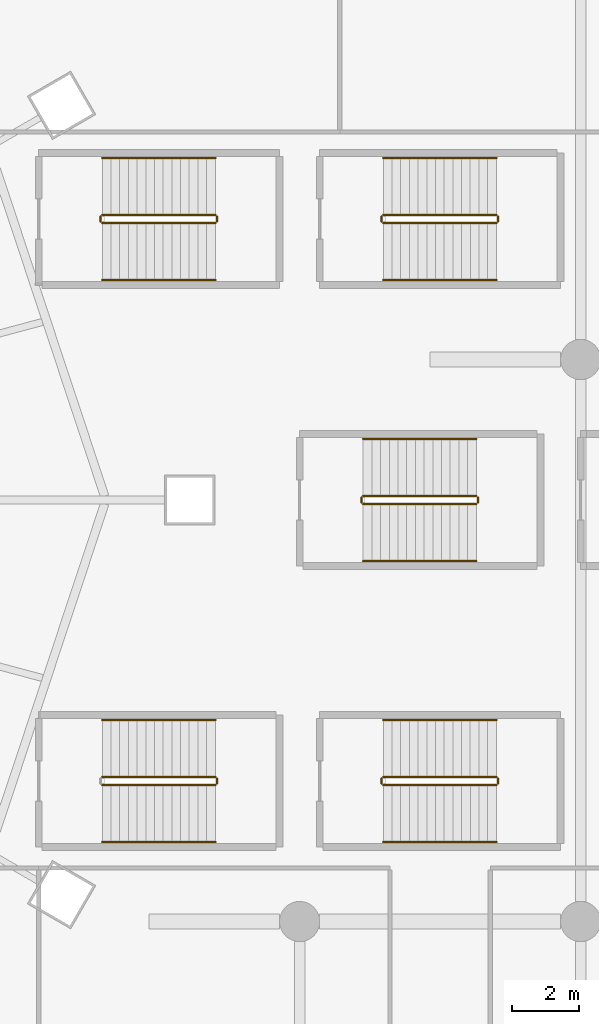
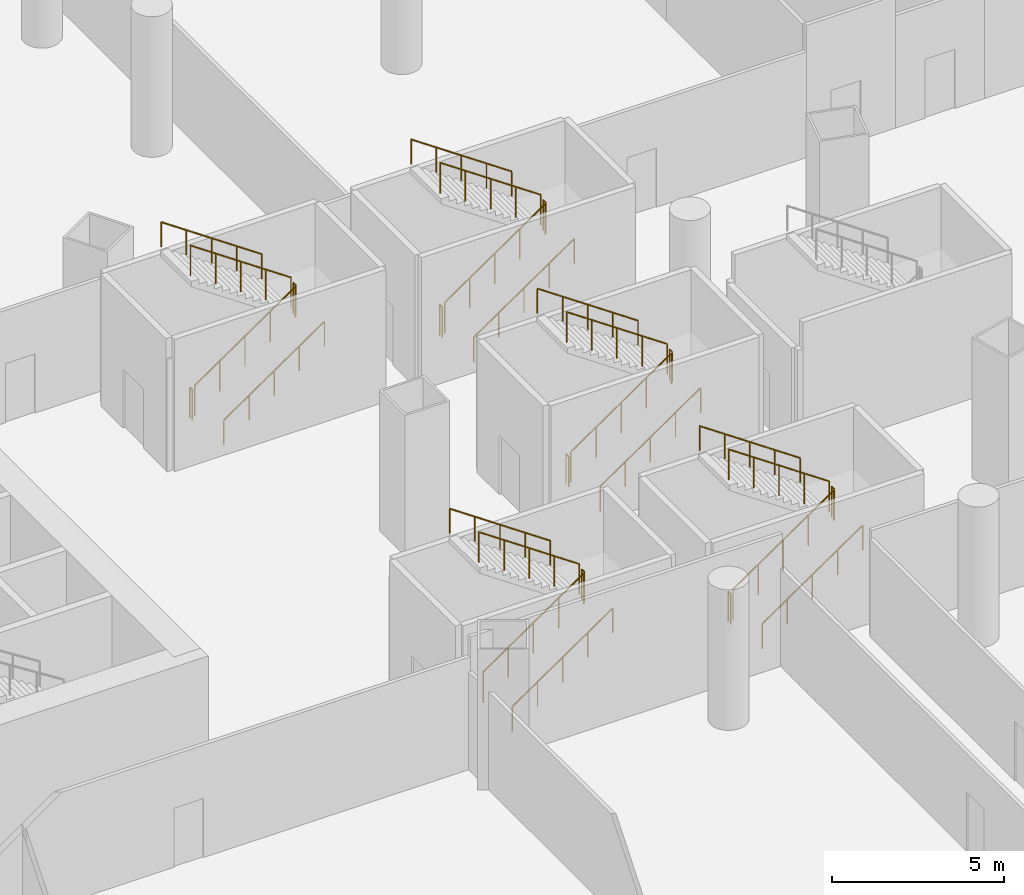
# One storey, part 46 of 51: 29 railings.
"""IFC4 building model written with IfcOpenShell, lengths in metres."""

from ifc_helpers import new_model, si_unit, direction, frame, origin, origin_2d, place, context, subcontext, project, spatial, circle, extrude, material, type_object, element, save


model = new_model("IFC4")

# Units and contexts
model_context = context("Model", 3, precision=1e-05, world=origin(), true_north=direction((0.0, 1.0)))
body_context = subcontext(model_context, "Body", "Model", "MODEL_VIEW")
ifc_project = project(units=[si_unit("LENGTHUNIT", "METRE"), si_unit("AREAUNIT", "SQUARE_METRE"), si_unit("VOLUMEUNIT", "CUBIC_METRE"), si_unit("PLANEANGLEUNIT", "RADIAN"), si_unit("MASSUNIT", "GRAM", prefix="KILO")], contexts=[model_context])

# Site, building, storey
site_placement = place(None, origin())
site = spatial("IfcSite", under=ifc_project, at=site_placement, CompositionType="ELEMENT")
building_placement = place(site_placement, origin())
building = spatial("IfcBuilding", under=site, at=building_placement, Name="Rimbun Link Towers", CompositionType="ELEMENT")
storey_placement = place(building_placement, frame((0.0, 0.0, 7.0)))
storey = spatial("IfcBuildingStorey", under=building, at=storey_placement, Name="L01", CompositionType="ELEMENT", Elevation=7.0)

# Railings
ifc_material_1 = material(Name="Stainless steel grade 316", Category="steel")
railing_type_1 = type_object("IfcRailingType", Name="Stair guard", PredefinedType="GUARDRAIL", material=ifc_material_1)
railing_1_placement = place(storey_placement, frame((-10.10009765625, -8.52490234375, 0.178466796875)))
element("IfcRailing", 1, at=railing_1_placement, inside=storey, type_object=railing_type_1, Name="L01 PS1 stair guard 1", PredefinedType="GUARDRAIL", context=body_context, shape_type="SweptSolid", body=[
    extrude(circle(Radius=0.02392578125, at=origin_2d()), frame((0.0, 0.0, 1.076171875), z_axis=(0.824304150675, 0.0, 0.566147213346), x_axis=(0.0, 1.0, 0.0)), (0.0, 0.0, 1.0), 4.1005859375),
    extrude(circle(Radius=0.02099609375, at=origin_2d()), origin(), (0.0, 0.0, 1.0), 1.052001953125),
    extrude(circle(Radius=0.02099609375, at=origin_2d()), frame((0.844970703125, 0.0, 0.580322265625)), (0.0, 0.0, 1.0), 1.052001953125),
    extrude(circle(Radius=0.02099609375, at=origin_2d()), frame((1.68994140625, 0.0, 1.16064453125)), (0.0, 0.0, 1.0), 1.052001953125),
    extrude(circle(Radius=0.02099609375, at=origin_2d()), frame((2.53515625, 0.0, 1.7412109375)), (0.0, 0.0, 1.0), 1.052001953125),
    extrude(circle(Radius=0.02099609375, at=origin_2d()), frame((3.380126953125, 0.0, 2.321533203125)), (0.0, 0.0, 1.0), 1.052001953125),
])
railing_2_placement = place(storey_placement, frame((-6.669921875, -8.47509765625, 2.5)))
element("IfcRailing", 2, at=railing_2_placement, inside=storey, type_object=railing_type_1, Name="L01 PS1 stair guard 2", PredefinedType="GUARDRAIL", context=body_context, shape_type="SweptSolid", body=[
    extrude(circle(Radius=0.02392578125, at=origin_2d()), frame((0.0, 0.0, 1.076171875), z_axis=(0.0, 1.0, 0.0), x_axis=(-1.0, 0.0, 0.0)), (0.0, 0.0, 1.0), 0.150146484375),
    extrude(circle(Radius=0.02099609375, at=origin_2d()), origin(), (0.0, 0.0, 1.0), 1.052001953125),
    extrude(circle(Radius=0.02099609375, at=origin_2d()), frame((0.0, 0.150146484375, 0.0)), (0.0, 0.0, 1.0), 1.052001953125),
])
railing_3_placement = place(storey_placement, frame((-6.719970703125, -8.27490234375, 2.678466796875)))
element("IfcRailing", 3, at=railing_3_placement, inside=storey, type_object=railing_type_1, Name="L01 PS1 stair guard 3", PredefinedType="GUARDRAIL", context=body_context, shape_type="SweptSolid", body=[
    extrude(circle(Radius=0.02392578125, at=origin_2d()), frame((0.0, 0.0, 1.076171875), z_axis=(-0.824304150675, 0.0, 0.566147213346), x_axis=(0.0, -1.0, 0.0)), (0.0, 0.0, 1.0), 4.1005859375),
    extrude(circle(Radius=0.02099609375, at=origin_2d()), origin(), (0.0, 0.0, 1.0), 1.052001953125),
    extrude(circle(Radius=0.02099609375, at=origin_2d()), frame((-0.844970703125, 0.0, 0.580322265625)), (0.0, 0.0, 1.0), 1.052001953125),
    extrude(circle(Radius=0.02099609375, at=origin_2d()), frame((-1.68994140625, 0.0, 1.16064453125)), (0.0, 0.0, 1.0), 1.052001953125),
    extrude(circle(Radius=0.02099609375, at=origin_2d()), frame((-2.53515625, 0.0, 1.7412109375)), (0.0, 0.0, 1.0), 1.052001953125),
    extrude(circle(Radius=0.02099609375, at=origin_2d()), frame((-3.380126953125, 0.0, 2.321533203125)), (0.0, 0.0, 1.0), 1.052001953125),
])
railing_4_placement = place(storey_placement, frame((-1.699951171875, -8.52490234375, 0.178466796875)))
element("IfcRailing", 4, at=railing_4_placement, inside=storey, type_object=railing_type_1, Name="L01 PS2 stair guard 1", PredefinedType="GUARDRAIL", context=body_context, shape_type="SweptSolid", body=[
    extrude(circle(Radius=0.02392578125, at=origin_2d()), frame((0.0, 0.0, 1.076171875), z_axis=(0.824285065979, 0.0, 0.566174999451), x_axis=(0.0, 1.0, 0.0)), (0.0, 0.0, 1.0), 4.100341796875),
    extrude(circle(Radius=0.02099609375, at=origin_2d()), origin(), (0.0, 0.0, 1.0), 1.052001953125),
    extrude(circle(Radius=0.02099609375, at=origin_2d()), frame((0.844970703125, 0.0, 0.580322265625)), (0.0, 0.0, 1.0), 1.052001953125),
    extrude(circle(Radius=0.02099609375, at=origin_2d()), frame((1.68994140625, 0.0, 1.16064453125)), (0.0, 0.0, 1.0), 1.052001953125),
    extrude(circle(Radius=0.02099609375, at=origin_2d()), frame((2.534912109375, 0.0, 1.7412109375)), (0.0, 0.0, 1.0), 1.052001953125),
    extrude(circle(Radius=0.02099609375, at=origin_2d()), frame((3.3798828125, 0.0, 2.321533203125)), (0.0, 0.0, 1.0), 1.052001953125),
])
railing_5_placement = place(storey_placement, frame((1.72998046875, -8.47509765625, 2.5)))
element("IfcRailing", 5, at=railing_5_placement, inside=storey, type_object=railing_type_1, Name="L01 PS2 stair guard 2", PredefinedType="GUARDRAIL", context=body_context, shape_type="SweptSolid", body=[
    extrude(circle(Radius=0.02392578125, at=origin_2d()), frame((0.0, 0.0, 1.076171875), z_axis=(0.0, 1.0, 0.0), x_axis=(-1.0, 0.0, 0.0)), (0.0, 0.0, 1.0), 0.150146484375),
    extrude(circle(Radius=0.02099609375, at=origin_2d()), origin(), (0.0, 0.0, 1.0), 1.052001953125),
    extrude(circle(Radius=0.02099609375, at=origin_2d()), frame((0.0, 0.150146484375, 0.0)), (0.0, 0.0, 1.0), 1.052001953125),
])
railing_6_placement = place(storey_placement, frame((1.679931640625, -8.27490234375, 2.678466796875)))
element("IfcRailing", 6, at=railing_6_placement, inside=storey, type_object=railing_type_1, Name="L01 PS2 stair guard 3", PredefinedType="GUARDRAIL", context=body_context, shape_type="SweptSolid", body=[
    extrude(circle(Radius=0.02392578125, at=origin_2d()), frame((0.0, 0.0, 1.076171875), z_axis=(-0.824285065979, 0.0, 0.566174999451), x_axis=(0.0, -1.0, 0.0)), (0.0, 0.0, 1.0), 4.100341796875),
    extrude(circle(Radius=0.02099609375, at=origin_2d()), origin(), (0.0, 0.0, 1.0), 1.052001953125),
    extrude(circle(Radius=0.02099609375, at=origin_2d()), frame((-0.844970703125, 0.0, 0.580322265625)), (0.0, 0.0, 1.0), 1.052001953125),
    extrude(circle(Radius=0.02099609375, at=origin_2d()), frame((-1.68994140625, 0.0, 1.16064453125)), (0.0, 0.0, 1.0), 1.052001953125),
    extrude(circle(Radius=0.02099609375, at=origin_2d()), frame((-2.534912109375, 0.0, 1.7412109375)), (0.0, 0.0, 1.0), 1.052001953125),
    extrude(circle(Radius=0.02099609375, at=origin_2d()), frame((-3.3798828125, 0.0, 2.321533203125)), (0.0, 0.0, 1.0), 1.052001953125),
])
railing_7_placement = place(storey_placement, frame((-1.75, -8.47509765625, 0.0)))
element("IfcRailing", 7, at=railing_7_placement, inside=storey, type_object=railing_type_1, Name="L01 PS2 stair guard 4", PredefinedType="GUARDRAIL", context=body_context, shape_type="SweptSolid", body=[
    extrude(circle(Radius=0.02392578125, at=origin_2d()), frame((0.0, 0.0, 1.076171875), z_axis=(0.0, 1.0, 0.0), x_axis=(-1.0, 0.0, 0.0)), (0.0, 0.0, 1.0), 0.150146484375),
    extrude(circle(Radius=0.02099609375, at=origin_2d()), origin(), (0.0, 0.0, 1.0), 1.052001953125),
    extrude(circle(Radius=0.02099609375, at=origin_2d()), frame((0.0, 0.150146484375, 0.0)), (0.0, 0.0, 1.0), 1.052001953125),
])
railing_8_placement = place(storey_placement, frame((-10.10009765625, 8.27490234375, 0.178466796875)))
element("IfcRailing", 8, at=railing_8_placement, inside=storey, type_object=railing_type_1, Name="L01 PS3 stair guard 1", PredefinedType="GUARDRAIL", context=body_context, shape_type="SweptSolid", body=[
    extrude(circle(Radius=0.02392578125, at=origin_2d()), frame((0.0, 0.0, 1.076171875), z_axis=(0.824304150675, 0.0, 0.566147213346), x_axis=(0.0, 1.0, 0.0)), (0.0, 0.0, 1.0), 4.1005859375),
    extrude(circle(Radius=0.02099609375, at=origin_2d()), origin(), (0.0, 0.0, 1.0), 1.052001953125),
    extrude(circle(Radius=0.02099609375, at=origin_2d()), frame((0.844970703125, 0.0, 0.580322265625)), (0.0, 0.0, 1.0), 1.052001953125),
    extrude(circle(Radius=0.02099609375, at=origin_2d()), frame((1.68994140625, 0.0, 1.16064453125)), (0.0, 0.0, 1.0), 1.052001953125),
    extrude(circle(Radius=0.02099609375, at=origin_2d()), frame((2.53515625, 0.0, 1.7412109375)), (0.0, 0.0, 1.0), 1.052001953125),
    extrude(circle(Radius=0.02099609375, at=origin_2d()), frame((3.380126953125, 0.0, 2.321533203125)), (0.0, 0.0, 1.0), 1.052001953125),
])
railing_9_placement = place(storey_placement, frame((-6.669921875, 8.324951171875, 2.5)))
element("IfcRailing", 9, at=railing_9_placement, inside=storey, type_object=railing_type_1, Name="L01 PS3 stair guard 2", PredefinedType="GUARDRAIL", context=body_context, shape_type="SweptSolid", body=[
    extrude(circle(Radius=0.02392578125, at=origin_2d()), frame((0.0, 0.0, 1.076171875), z_axis=(0.0, 1.0, 0.0), x_axis=(-1.0, 0.0, 0.0)), (0.0, 0.0, 1.0), 0.150146484375),
    extrude(circle(Radius=0.02099609375, at=origin_2d()), origin(), (0.0, 0.0, 1.0), 1.052001953125),
    extrude(circle(Radius=0.02099609375, at=origin_2d()), frame((0.0, 0.150146484375, 0.0)), (0.0, 0.0, 1.0), 1.052001953125),
])
railing_10_placement = place(storey_placement, frame((-6.719970703125, 8.52490234375, 2.678466796875)))
element("IfcRailing", 10, at=railing_10_placement, inside=storey, type_object=railing_type_1, Name="L01 PS3 stair guard 3", PredefinedType="GUARDRAIL", context=body_context, shape_type="SweptSolid", body=[
    extrude(circle(Radius=0.02392578125, at=origin_2d()), frame((0.0, 0.0, 1.076171875), z_axis=(-0.824304150675, 0.0, 0.566147213346), x_axis=(0.0, -1.0, 0.0)), (0.0, 0.0, 1.0), 4.1005859375),
    extrude(circle(Radius=0.02099609375, at=origin_2d()), origin(), (0.0, 0.0, 1.0), 1.052001953125),
    extrude(circle(Radius=0.02099609375, at=origin_2d()), frame((-0.844970703125, 0.0, 0.580322265625)), (0.0, 0.0, 1.0), 1.052001953125),
    extrude(circle(Radius=0.02099609375, at=origin_2d()), frame((-1.68994140625, 0.0, 1.16064453125)), (0.0, 0.0, 1.0), 1.052001953125),
    extrude(circle(Radius=0.02099609375, at=origin_2d()), frame((-2.53515625, 0.0, 1.7412109375)), (0.0, 0.0, 1.0), 1.052001953125),
    extrude(circle(Radius=0.02099609375, at=origin_2d()), frame((-3.380126953125, 0.0, 2.321533203125)), (0.0, 0.0, 1.0), 1.052001953125),
])
railing_11_placement = place(storey_placement, frame((-10.14990234375, 8.324951171875, 0.0)))
element("IfcRailing", 11, at=railing_11_placement, inside=storey, type_object=railing_type_1, Name="L01 PS3 stair guard 4", PredefinedType="GUARDRAIL", context=body_context, shape_type="SweptSolid", body=[
    extrude(circle(Radius=0.02392578125, at=origin_2d()), frame((0.0, 0.0, 1.076171875), z_axis=(0.0, 1.0, 0.0), x_axis=(-1.0, 0.0, 0.0)), (0.0, 0.0, 1.0), 0.150146484375),
    extrude(circle(Radius=0.02099609375, at=origin_2d()), origin(), (0.0, 0.0, 1.0), 1.052001953125),
    extrude(circle(Radius=0.02099609375, at=origin_2d()), frame((0.0, 0.150146484375, 0.0)), (0.0, 0.0, 1.0), 1.052001953125),
])
railing_12_placement = place(storey_placement, frame((-1.699951171875, 8.27490234375, 0.178466796875)))
element("IfcRailing", 12, at=railing_12_placement, inside=storey, type_object=railing_type_1, Name="L01 PS4 stair guard 1", PredefinedType="GUARDRAIL", context=body_context, shape_type="SweptSolid", body=[
    extrude(circle(Radius=0.02392578125, at=origin_2d()), frame((0.0, 0.0, 1.076171875), z_axis=(0.824285065979, 0.0, 0.566174999451), x_axis=(0.0, 1.0, 0.0)), (0.0, 0.0, 1.0), 4.100341796875),
    extrude(circle(Radius=0.02099609375, at=origin_2d()), origin(), (0.0, 0.0, 1.0), 1.052001953125),
    extrude(circle(Radius=0.02099609375, at=origin_2d()), frame((0.844970703125, 0.0, 0.580322265625)), (0.0, 0.0, 1.0), 1.052001953125),
    extrude(circle(Radius=0.02099609375, at=origin_2d()), frame((1.68994140625, 0.0, 1.16064453125)), (0.0, 0.0, 1.0), 1.052001953125),
    extrude(circle(Radius=0.02099609375, at=origin_2d()), frame((2.534912109375, 0.0, 1.7412109375)), (0.0, 0.0, 1.0), 1.052001953125),
    extrude(circle(Radius=0.02099609375, at=origin_2d()), frame((3.3798828125, 0.0, 2.321533203125)), (0.0, 0.0, 1.0), 1.052001953125),
])
railing_13_placement = place(storey_placement, frame((1.72998046875, 8.324951171875, 2.5)))
element("IfcRailing", 13, at=railing_13_placement, inside=storey, type_object=railing_type_1, Name="L01 PS4 stair guard 2", PredefinedType="GUARDRAIL", context=body_context, shape_type="SweptSolid", body=[
    extrude(circle(Radius=0.02392578125, at=origin_2d()), frame((0.0, 0.0, 1.076171875), z_axis=(0.0, 1.0, 0.0), x_axis=(-1.0, 0.0, 0.0)), (0.0, 0.0, 1.0), 0.150146484375),
    extrude(circle(Radius=0.02099609375, at=origin_2d()), origin(), (0.0, 0.0, 1.0), 1.052001953125),
    extrude(circle(Radius=0.02099609375, at=origin_2d()), frame((0.0, 0.150146484375, 0.0)), (0.0, 0.0, 1.0), 1.052001953125),
])
railing_14_placement = place(storey_placement, frame((1.679931640625, 8.52490234375, 2.678466796875)))
element("IfcRailing", 14, at=railing_14_placement, inside=storey, type_object=railing_type_1, Name="L01 PS4 stair guard 3", PredefinedType="GUARDRAIL", context=body_context, shape_type="SweptSolid", body=[
    extrude(circle(Radius=0.02392578125, at=origin_2d()), frame((0.0, 0.0, 1.076171875), z_axis=(-0.824285065979, 0.0, 0.566174999451), x_axis=(0.0, -1.0, 0.0)), (0.0, 0.0, 1.0), 4.100341796875),
    extrude(circle(Radius=0.02099609375, at=origin_2d()), origin(), (0.0, 0.0, 1.0), 1.052001953125),
    extrude(circle(Radius=0.02099609375, at=origin_2d()), frame((-0.844970703125, 0.0, 0.580322265625)), (0.0, 0.0, 1.0), 1.052001953125),
    extrude(circle(Radius=0.02099609375, at=origin_2d()), frame((-1.68994140625, 0.0, 1.16064453125)), (0.0, 0.0, 1.0), 1.052001953125),
    extrude(circle(Radius=0.02099609375, at=origin_2d()), frame((-2.534912109375, 0.0, 1.7412109375)), (0.0, 0.0, 1.0), 1.052001953125),
    extrude(circle(Radius=0.02099609375, at=origin_2d()), frame((-3.3798828125, 0.0, 2.321533203125)), (0.0, 0.0, 1.0), 1.052001953125),
])
railing_15_placement = place(storey_placement, frame((-1.75, 8.324951171875, 0.0)))
element("IfcRailing", 15, at=railing_15_placement, inside=storey, type_object=railing_type_1, Name="L01 PS4 stair guard 4", PredefinedType="GUARDRAIL", context=body_context, shape_type="SweptSolid", body=[
    extrude(circle(Radius=0.02392578125, at=origin_2d()), frame((0.0, 0.0, 1.076171875), z_axis=(0.0, 1.0, 0.0), x_axis=(-1.0, 0.0, 0.0)), (0.0, 0.0, 1.0), 0.150146484375),
    extrude(circle(Radius=0.02099609375, at=origin_2d()), origin(), (0.0, 0.0, 1.0), 1.052001953125),
    extrude(circle(Radius=0.02099609375, at=origin_2d()), frame((0.0, 0.150146484375, 0.0)), (0.0, 0.0, 1.0), 1.052001953125),
])
railing_16_placement = place(storey_placement, frame((-2.300048828125, -0.125, 0.178466796875)))
element("IfcRailing", 16, at=railing_16_placement, inside=storey, type_object=railing_type_1, Name="L01 PS6 stair guard 1", PredefinedType="GUARDRAIL", context=body_context, shape_type="SweptSolid", body=[
    extrude(circle(Radius=0.02392578125, at=origin_2d()), frame((0.0, 0.0, 1.076171875), z_axis=(0.824304150675, 0.0, 0.566147213346), x_axis=(0.0, 1.0, 0.0)), (0.0, 0.0, 1.0), 4.1005859375),
    extrude(circle(Radius=0.02099609375, at=origin_2d()), origin(), (0.0, 0.0, 1.0), 1.052001953125),
    extrude(circle(Radius=0.02099609375, at=origin_2d()), frame((0.844970703125, 0.0, 0.580322265625)), (0.0, 0.0, 1.0), 1.052001953125),
    extrude(circle(Radius=0.02099609375, at=origin_2d()), frame((1.68994140625, 0.0, 1.16064453125)), (0.0, 0.0, 1.0), 1.052001953125),
    extrude(circle(Radius=0.02099609375, at=origin_2d()), frame((2.53515625, 0.0, 1.7412109375)), (0.0, 0.0, 1.0), 1.052001953125),
    extrude(circle(Radius=0.02099609375, at=origin_2d()), frame((3.380126953125, 0.0, 2.321533203125)), (0.0, 0.0, 1.0), 1.052001953125),
])
railing_17_placement = place(storey_placement, frame((1.1298828125, -0.074951171875, 2.5)))
element("IfcRailing", 17, at=railing_17_placement, inside=storey, type_object=railing_type_1, Name="L01 PS6 stair guard 2", PredefinedType="GUARDRAIL", context=body_context, shape_type="SweptSolid", body=[
    extrude(circle(Radius=0.02392578125, at=origin_2d()), frame((0.0, 0.0, 1.076171875), z_axis=(0.0, 1.0, 0.0), x_axis=(-1.0, 0.0, 0.0)), (0.0, 0.0, 1.0), 0.14990234375),
    extrude(circle(Radius=0.02099609375, at=origin_2d()), origin(), (0.0, 0.0, 1.0), 1.052001953125),
    extrude(circle(Radius=0.02099609375, at=origin_2d()), frame((0.0, 0.14990234375, 0.0)), (0.0, 0.0, 1.0), 1.052001953125),
])
railing_18_placement = place(storey_placement, frame((1.080078125, 0.125, 2.678466796875)))
element("IfcRailing", 18, at=railing_18_placement, inside=storey, type_object=railing_type_1, Name="L01 PS6 stair guard 3", PredefinedType="GUARDRAIL", context=body_context, shape_type="SweptSolid", body=[
    extrude(circle(Radius=0.02392578125, at=origin_2d()), frame((0.0, 0.0, 1.076171875), z_axis=(-0.824304150675, 0.0, 0.566147213346), x_axis=(0.0, -1.0, 0.0)), (0.0, 0.0, 1.0), 4.1005859375),
    extrude(circle(Radius=0.02099609375, at=origin_2d()), origin(), (0.0, 0.0, 1.0), 1.052001953125),
    extrude(circle(Radius=0.02099609375, at=origin_2d()), frame((-0.844970703125, 0.0, 0.580322265625)), (0.0, 0.0, 1.0), 1.052001953125),
    extrude(circle(Radius=0.02099609375, at=origin_2d()), frame((-1.68994140625, 0.0, 1.16064453125)), (0.0, 0.0, 1.0), 1.052001953125),
    extrude(circle(Radius=0.02099609375, at=origin_2d()), frame((-2.53515625, 0.0, 1.7412109375)), (0.0, 0.0, 1.0), 1.052001953125),
    extrude(circle(Radius=0.02099609375, at=origin_2d()), frame((-3.380126953125, 0.0, 2.321533203125)), (0.0, 0.0, 1.0), 1.052001953125),
])
railing_19_placement = place(storey_placement, frame((-2.35009765625, -0.074951171875, 0.0)))
element("IfcRailing", 19, at=railing_19_placement, inside=storey, type_object=railing_type_1, Name="L01 PS6 stair guard 4", PredefinedType="GUARDRAIL", context=body_context, shape_type="SweptSolid", body=[
    extrude(circle(Radius=0.02392578125, at=origin_2d()), frame((0.0, 0.0, 1.076171875), z_axis=(0.0, 1.0, 0.0), x_axis=(-1.0, 0.0, 0.0)), (0.0, 0.0, 1.0), 0.14990234375),
    extrude(circle(Radius=0.02099609375, at=origin_2d()), origin(), (0.0, 0.0, 1.0), 1.052001953125),
    extrude(circle(Radius=0.02099609375, at=origin_2d()), frame((0.0, 0.14990234375, 0.0)), (0.0, 0.0, 1.0), 1.052001953125),
])
ifc_material_2 = material(Name="Stainless steel grade 316", Category="steel")
railing_type_2 = type_object("IfcRailingType", Name="Stair handrail", PredefinedType="HANDRAIL", material=ifc_material_2)
railing_20_placement = place(storey_placement, frame((-10.10009765625, -10.22509765625, 0.178466796875)))
element("IfcRailing", 20, at=railing_20_placement, inside=storey, type_object=railing_type_2, Name="L01 PS1 stair handrail 1", PredefinedType="HANDRAIL", context=body_context, shape_type="SweptSolid", body=[
    extrude(circle(Radius=0.02392578125, at=origin_2d()), frame((0.0, 0.0, 0.8759765625), z_axis=(0.824304150675, 0.0, 0.566147213346), x_axis=(0.0, 1.0, 0.0)), (0.0, 0.0, 1.0), 4.1005859375),
    extrude(circle(Radius=0.02099609375, at=origin_2d()), origin(), (0.0, 0.0, 1.0), 0.851806640625),
    extrude(circle(Radius=0.02099609375, at=origin_2d()), frame((0.844970703125, 0.0, 0.580322265625)), (0.0, 0.0, 1.0), 0.851806640625),
    extrude(circle(Radius=0.02099609375, at=origin_2d()), frame((1.68994140625, 0.0, 1.16064453125)), (0.0, 0.0, 1.0), 0.851806640625),
    extrude(circle(Radius=0.02099609375, at=origin_2d()), frame((2.53515625, 0.0, 1.7412109375)), (0.0, 0.0, 1.0), 0.851806640625),
    extrude(circle(Radius=0.02099609375, at=origin_2d()), frame((3.380126953125, 0.0, 2.321533203125)), (0.0, 0.0, 1.0), 0.851806640625),
])
railing_21_placement = place(storey_placement, frame((-6.719970703125, -6.574951171875, 2.678466796875)))
element("IfcRailing", 21, at=railing_21_placement, inside=storey, type_object=railing_type_2, Name="L01 PS1 stair handrail 2", PredefinedType="HANDRAIL", context=body_context, shape_type="SweptSolid", body=[
    extrude(circle(Radius=0.02392578125, at=origin_2d()), frame((0.0, 0.0, 0.8759765625), z_axis=(-0.824304150675, 0.0, 0.566147213346), x_axis=(0.0, -1.0, 0.0)), (0.0, 0.0, 1.0), 4.1005859375),
    extrude(circle(Radius=0.02099609375, at=origin_2d()), origin(), (0.0, 0.0, 1.0), 0.851806640625),
    extrude(circle(Radius=0.02099609375, at=origin_2d()), frame((-0.844970703125, 0.0, 0.580322265625)), (0.0, 0.0, 1.0), 0.851806640625),
    extrude(circle(Radius=0.02099609375, at=origin_2d()), frame((-1.68994140625, 0.0, 1.16064453125)), (0.0, 0.0, 1.0), 0.851806640625),
    extrude(circle(Radius=0.02099609375, at=origin_2d()), frame((-2.53515625, 0.0, 1.7412109375)), (0.0, 0.0, 1.0), 0.851806640625),
    extrude(circle(Radius=0.02099609375, at=origin_2d()), frame((-3.380126953125, 0.0, 2.321533203125)), (0.0, 0.0, 1.0), 0.851806640625),
])
railing_22_placement = place(storey_placement, frame((-1.699951171875, -10.22509765625, 0.178466796875)))
element("IfcRailing", 22, at=railing_22_placement, inside=storey, type_object=railing_type_2, Name="L01 PS2 stair handrail 1", PredefinedType="HANDRAIL", context=body_context, shape_type="SweptSolid", body=[
    extrude(circle(Radius=0.02392578125, at=origin_2d()), frame((0.0, 0.0, 0.8759765625), z_axis=(0.824285065979, 0.0, 0.566174999451), x_axis=(0.0, 1.0, 0.0)), (0.0, 0.0, 1.0), 4.100341796875),
    extrude(circle(Radius=0.02099609375, at=origin_2d()), origin(), (0.0, 0.0, 1.0), 0.851806640625),
    extrude(circle(Radius=0.02099609375, at=origin_2d()), frame((0.844970703125, 0.0, 0.580322265625)), (0.0, 0.0, 1.0), 0.851806640625),
    extrude(circle(Radius=0.02099609375, at=origin_2d()), frame((1.68994140625, 0.0, 1.16064453125)), (0.0, 0.0, 1.0), 0.851806640625),
    extrude(circle(Radius=0.02099609375, at=origin_2d()), frame((2.534912109375, 0.0, 1.7412109375)), (0.0, 0.0, 1.0), 0.851806640625),
    extrude(circle(Radius=0.02099609375, at=origin_2d()), frame((3.3798828125, 0.0, 2.321533203125)), (0.0, 0.0, 1.0), 0.851806640625),
])
railing_23_placement = place(storey_placement, frame((1.679931640625, -6.574951171875, 2.678466796875)))
element("IfcRailing", 23, at=railing_23_placement, inside=storey, type_object=railing_type_2, Name="L01 PS2 stair handrail 2", PredefinedType="HANDRAIL", context=body_context, shape_type="SweptSolid", body=[
    extrude(circle(Radius=0.02392578125, at=origin_2d()), frame((0.0, 0.0, 0.8759765625), z_axis=(-0.824285065979, 0.0, 0.566174999451), x_axis=(0.0, -1.0, 0.0)), (0.0, 0.0, 1.0), 4.100341796875),
    extrude(circle(Radius=0.02099609375, at=origin_2d()), origin(), (0.0, 0.0, 1.0), 0.851806640625),
    extrude(circle(Radius=0.02099609375, at=origin_2d()), frame((-0.844970703125, 0.0, 0.580322265625)), (0.0, 0.0, 1.0), 0.851806640625),
    extrude(circle(Radius=0.02099609375, at=origin_2d()), frame((-1.68994140625, 0.0, 1.16064453125)), (0.0, 0.0, 1.0), 0.851806640625),
    extrude(circle(Radius=0.02099609375, at=origin_2d()), frame((-2.534912109375, 0.0, 1.7412109375)), (0.0, 0.0, 1.0), 0.851806640625),
    extrude(circle(Radius=0.02099609375, at=origin_2d()), frame((-3.3798828125, 0.0, 2.321533203125)), (0.0, 0.0, 1.0), 0.851806640625),
])
railing_24_placement = place(storey_placement, frame((-10.10009765625, 6.574951171875, 0.178466796875)))
element("IfcRailing", 24, at=railing_24_placement, inside=storey, type_object=railing_type_2, Name="L01 PS3 stair handrail 1", PredefinedType="HANDRAIL", context=body_context, shape_type="SweptSolid", body=[
    extrude(circle(Radius=0.02392578125, at=origin_2d()), frame((0.0, 0.0, 0.8759765625), z_axis=(0.824304150675, 0.0, 0.566147213346), x_axis=(0.0, 1.0, 0.0)), (0.0, 0.0, 1.0), 4.1005859375),
    extrude(circle(Radius=0.02099609375, at=origin_2d()), origin(), (0.0, 0.0, 1.0), 0.851806640625),
    extrude(circle(Radius=0.02099609375, at=origin_2d()), frame((0.844970703125, 0.0, 0.580322265625)), (0.0, 0.0, 1.0), 0.851806640625),
    extrude(circle(Radius=0.02099609375, at=origin_2d()), frame((1.68994140625, 0.0, 1.16064453125)), (0.0, 0.0, 1.0), 0.851806640625),
    extrude(circle(Radius=0.02099609375, at=origin_2d()), frame((2.53515625, 0.0, 1.7412109375)), (0.0, 0.0, 1.0), 0.851806640625),
    extrude(circle(Radius=0.02099609375, at=origin_2d()), frame((3.380126953125, 0.0, 2.321533203125)), (0.0, 0.0, 1.0), 0.851806640625),
])
railing_25_placement = place(storey_placement, frame((-6.719970703125, 10.22509765625, 2.678466796875)))
element("IfcRailing", 25, at=railing_25_placement, inside=storey, type_object=railing_type_2, Name="L01 PS3 stair handrail 2", PredefinedType="HANDRAIL", context=body_context, shape_type="SweptSolid", body=[
    extrude(circle(Radius=0.02392578125, at=origin_2d()), frame((0.0, 0.0, 0.8759765625), z_axis=(-0.824304150675, 0.0, 0.566147213346), x_axis=(0.0, -1.0, 0.0)), (0.0, 0.0, 1.0), 4.1005859375),
    extrude(circle(Radius=0.02099609375, at=origin_2d()), origin(), (0.0, 0.0, 1.0), 0.851806640625),
    extrude(circle(Radius=0.02099609375, at=origin_2d()), frame((-0.844970703125, 0.0, 0.580322265625)), (0.0, 0.0, 1.0), 0.851806640625),
    extrude(circle(Radius=0.02099609375, at=origin_2d()), frame((-1.68994140625, 0.0, 1.16064453125)), (0.0, 0.0, 1.0), 0.851806640625),
    extrude(circle(Radius=0.02099609375, at=origin_2d()), frame((-2.53515625, 0.0, 1.7412109375)), (0.0, 0.0, 1.0), 0.851806640625),
    extrude(circle(Radius=0.02099609375, at=origin_2d()), frame((-3.380126953125, 0.0, 2.321533203125)), (0.0, 0.0, 1.0), 0.851806640625),
])
railing_26_placement = place(storey_placement, frame((-1.699951171875, 6.574951171875, 0.178466796875)))
element("IfcRailing", 26, at=railing_26_placement, inside=storey, type_object=railing_type_2, Name="L01 PS4 stair handrail 1", PredefinedType="HANDRAIL", context=body_context, shape_type="SweptSolid", body=[
    extrude(circle(Radius=0.02392578125, at=origin_2d()), frame((0.0, 0.0, 0.8759765625), z_axis=(0.824285065979, 0.0, 0.566174999451), x_axis=(0.0, 1.0, 0.0)), (0.0, 0.0, 1.0), 4.100341796875),
    extrude(circle(Radius=0.02099609375, at=origin_2d()), origin(), (0.0, 0.0, 1.0), 0.851806640625),
    extrude(circle(Radius=0.02099609375, at=origin_2d()), frame((0.844970703125, 0.0, 0.580322265625)), (0.0, 0.0, 1.0), 0.851806640625),
    extrude(circle(Radius=0.02099609375, at=origin_2d()), frame((1.68994140625, 0.0, 1.16064453125)), (0.0, 0.0, 1.0), 0.851806640625),
    extrude(circle(Radius=0.02099609375, at=origin_2d()), frame((2.534912109375, 0.0, 1.7412109375)), (0.0, 0.0, 1.0), 0.851806640625),
    extrude(circle(Radius=0.02099609375, at=origin_2d()), frame((3.3798828125, 0.0, 2.321533203125)), (0.0, 0.0, 1.0), 0.851806640625),
])
railing_27_placement = place(storey_placement, frame((1.679931640625, 10.22509765625, 2.678466796875)))
element("IfcRailing", 27, at=railing_27_placement, inside=storey, type_object=railing_type_2, Name="L01 PS4 stair handrail 2", PredefinedType="HANDRAIL", context=body_context, shape_type="SweptSolid", body=[
    extrude(circle(Radius=0.02392578125, at=origin_2d()), frame((0.0, 0.0, 0.8759765625), z_axis=(-0.824285065979, 0.0, 0.566174999451), x_axis=(0.0, -1.0, 0.0)), (0.0, 0.0, 1.0), 4.100341796875),
    extrude(circle(Radius=0.02099609375, at=origin_2d()), origin(), (0.0, 0.0, 1.0), 0.851806640625),
    extrude(circle(Radius=0.02099609375, at=origin_2d()), frame((-0.844970703125, 0.0, 0.580322265625)), (0.0, 0.0, 1.0), 0.851806640625),
    extrude(circle(Radius=0.02099609375, at=origin_2d()), frame((-1.68994140625, 0.0, 1.16064453125)), (0.0, 0.0, 1.0), 0.851806640625),
    extrude(circle(Radius=0.02099609375, at=origin_2d()), frame((-2.534912109375, 0.0, 1.7412109375)), (0.0, 0.0, 1.0), 0.851806640625),
    extrude(circle(Radius=0.02099609375, at=origin_2d()), frame((-3.3798828125, 0.0, 2.321533203125)), (0.0, 0.0, 1.0), 0.851806640625),
])
railing_28_placement = place(storey_placement, frame((-2.300048828125, -1.824951171875, 0.178466796875)))
element("IfcRailing", 28, at=railing_28_placement, inside=storey, type_object=railing_type_2, Name="L01 PS6 stair handrail 1", PredefinedType="HANDRAIL", context=body_context, shape_type="SweptSolid", body=[
    extrude(circle(Radius=0.02392578125, at=origin_2d()), frame((0.0, 0.0, 0.8759765625), z_axis=(0.824304150675, 0.0, 0.566147213346), x_axis=(0.0, 1.0, 0.0)), (0.0, 0.0, 1.0), 4.1005859375),
    extrude(circle(Radius=0.02099609375, at=origin_2d()), origin(), (0.0, 0.0, 1.0), 0.851806640625),
    extrude(circle(Radius=0.02099609375, at=origin_2d()), frame((0.844970703125, 0.0, 0.580322265625)), (0.0, 0.0, 1.0), 0.851806640625),
    extrude(circle(Radius=0.02099609375, at=origin_2d()), frame((1.68994140625, 0.0, 1.16064453125)), (0.0, 0.0, 1.0), 0.851806640625),
    extrude(circle(Radius=0.02099609375, at=origin_2d()), frame((2.53515625, 0.0, 1.7412109375)), (0.0, 0.0, 1.0), 0.851806640625),
    extrude(circle(Radius=0.02099609375, at=origin_2d()), frame((3.380126953125, 0.0, 2.321533203125)), (0.0, 0.0, 1.0), 0.851806640625),
])
railing_29_placement = place(storey_placement, frame((1.080078125, 1.824951171875, 2.678466796875)))
element("IfcRailing", 29, at=railing_29_placement, inside=storey, type_object=railing_type_2, Name="L01 PS6 stair handrail 2", PredefinedType="HANDRAIL", context=body_context, shape_type="SweptSolid", body=[
    extrude(circle(Radius=0.02392578125, at=origin_2d()), frame((0.0, 0.0, 0.8759765625), z_axis=(-0.824304150675, 0.0, 0.566147213346), x_axis=(0.0, -1.0, 0.0)), (0.0, 0.0, 1.0), 4.1005859375),
    extrude(circle(Radius=0.02099609375, at=origin_2d()), origin(), (0.0, 0.0, 1.0), 0.851806640625),
    extrude(circle(Radius=0.02099609375, at=origin_2d()), frame((-0.844970703125, 0.0, 0.580322265625)), (0.0, 0.0, 1.0), 0.851806640625),
    extrude(circle(Radius=0.02099609375, at=origin_2d()), frame((-1.68994140625, 0.0, 1.16064453125)), (0.0, 0.0, 1.0), 0.851806640625),
    extrude(circle(Radius=0.02099609375, at=origin_2d()), frame((-2.53515625, 0.0, 1.7412109375)), (0.0, 0.0, 1.0), 0.851806640625),
    extrude(circle(Radius=0.02099609375, at=origin_2d()), frame((-3.380126953125, 0.0, 2.321533203125)), (0.0, 0.0, 1.0), 0.851806640625),
])

save(model, "model.ifc")
